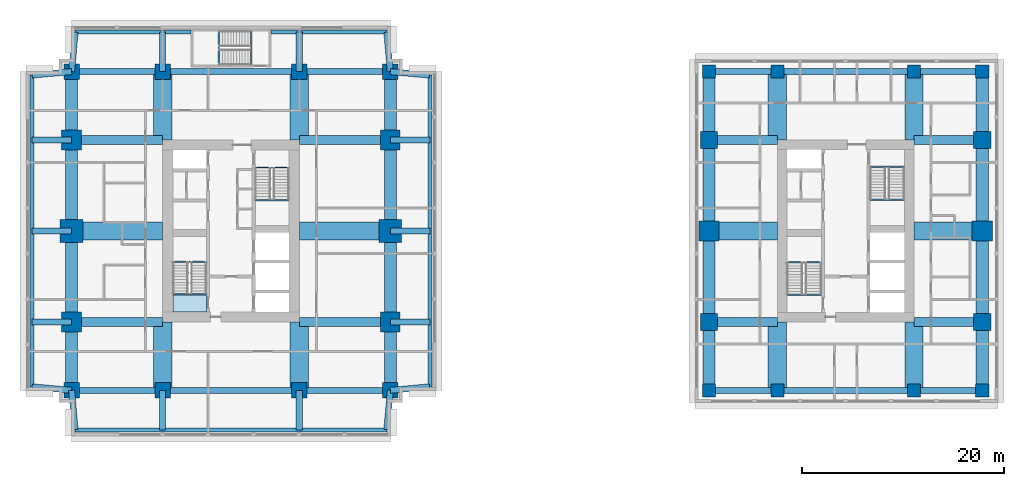
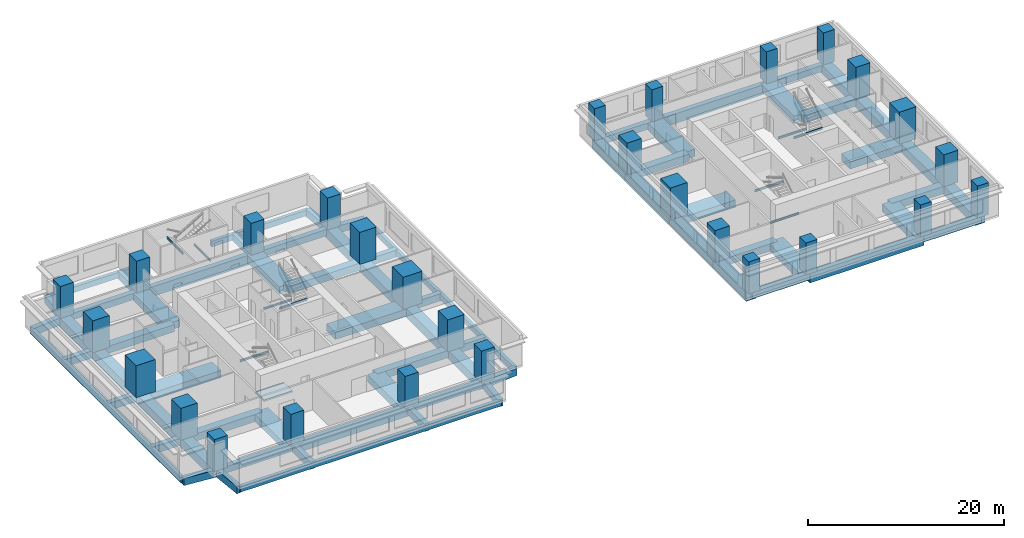
# One storey, part 1 of 11: 81 beams, 28 columns, 1 slab, 1 element without a shape of its own.
"""IFC4 building model written with IfcOpenShell, lengths in metres."""

from ifc_helpers import new_model, si_unit, direction, frame, origin, origin_2d, place, context, subcontext, project, spatial, polyline, rectangle, i_section, outline, extrude, material, layer, layer_set, material_profile, profile_set, type_object, element, aggregate, save


model = new_model("IFC4")

# Units and contexts
model_context = context("Model", 3, precision=1e-05, world=origin(), true_north=direction((0.0, 1.0)))
body_context = subcontext(model_context, "Body", "Model", "MODEL_VIEW")
ifc_project = project(units=[si_unit("LENGTHUNIT", "METRE"), si_unit("AREAUNIT", "SQUARE_METRE"), si_unit("VOLUMEUNIT", "CUBIC_METRE"), si_unit("PLANEANGLEUNIT", "RADIAN"), si_unit("MASSUNIT", "GRAM", prefix="KILO")], contexts=[model_context])

# Site, building, storey
site_placement = place(None, origin())
site = spatial("IfcSite", under=ifc_project, at=site_placement, CompositionType="ELEMENT")
building_placement = place(site_placement, origin())
building = spatial("IfcBuilding", under=site, at=building_placement, Name="Namib Vertical Campus", CompositionType="ELEMENT")
storey_placement = place(building_placement, frame((0.0, 0.0, 217.0)))
storey = spatial("IfcBuildingStorey", under=building, at=storey_placement, Name="L51", CompositionType="ELEMENT", Elevation=217.0)

# Columns
ifc_material_1 = material(Name="Concrete C60/75", Category="concrete")
ifc_material_profile_1 = material_profile(ifc_material_1, rectangle(XDim=1.300048828125, YDim=1.300048828125, at=origin_2d()))
ifc_profile_set_1 = profile_set([ifc_material_profile_1], Name="Concrete C60/75")
column_type_1 = type_object("IfcColumnType", Name="Column RC 1300x1300", PredefinedType="COLUMN", material=ifc_profile_set_1)
for number, where, z_axis, x_axis, name in (
    (1, (67.5, 4.5, 0.0), (0.0, 0.0, 1.0), (1.0, 0.0, 0.0), "Column C130 L51"),
    (2, (74.25, 4.5, 0.0), (0.0, 0.0, 1.0), (1.0, 0.0, 0.0), "Column C130 L51"),
    (3, (87.75, 4.5, 0.0), (0.0, 0.0, 1.0), (1.0, 0.0, 0.0), "Column C130 L51"),
    (4, (94.5, 4.5, 0.0), (0.0, 0.0, 1.0), (1.0, 0.0, 0.0), "Column C130 L51"),
    (5, (67.5, 36.0, 0.0), (0.0, 0.0, 1.0), (1.0, 0.0, 0.0), "Column C130 L51"),
    (6, (74.25, 36.0, 0.0), (0.0, 0.0, 1.0), (1.0, 0.0, 0.0), "Column C130 L51"),
    (7, (87.75, 36.0, 0.0), (0.0, 0.0, 1.0), (1.0, 0.0, 0.0), "Column C130 L51"),
    (8, (94.5, 36.0, 0.0), (0.0, 0.0, 1.0), (1.0, 0.0, 0.0), "Column C130 L51"),
):
    element("IfcColumn", number, at=place(storey_placement, frame(where, z_axis=z_axis, x_axis=x_axis)), inside=storey, type_object=column_type_1, Name=name, PredefinedType="COLUMN", context=body_context, shape_type="SweptSolid", body=[
        extrude(rectangle(XDim=1.300048828125, YDim=1.300048828125, at=origin_2d()), origin(), (0.0, 0.0, 1.0), 4.0),
    ])
ifc_material_2 = material(Name="Concrete C60/75", Category="concrete")
ifc_material_profile_2 = material_profile(ifc_material_2, rectangle(XDim=1.550048828125, YDim=1.550048828125, at=origin_2d()))
ifc_profile_set_2 = profile_set([ifc_material_profile_2], Name="Concrete C60/75")
column_type_2 = type_object("IfcColumnType", Name="Column RC 1550x1550", PredefinedType="COLUMN", material=ifc_profile_set_2)
for number, where, z_axis, x_axis, name in (
    (9, (4.5, 4.5, 0.0), (0.0, 0.0, 1.0), (1.0, 0.0, 0.0), "Column C155 L51"),
    (10, (13.5, 4.5, 0.0), (0.0, 0.0, 1.0), (1.0, 0.0, 0.0), "Column C155 L51"),
    (11, (27.0, 4.5, 0.0), (0.0, 0.0, 1.0), (1.0, 0.0, 0.0), "Column C155 L51"),
    (12, (36.0, 4.5, 0.0), (0.0, 0.0, 1.0), (1.0, 0.0, 0.0), "Column C155 L51"),
    (13, (4.5, 36.0, 0.0), (0.0, 0.0, 1.0), (1.0, 0.0, 0.0), "Column C155 L51"),
    (14, (13.5, 36.0, 0.0), (0.0, 0.0, 1.0), (1.0, 0.0, 0.0), "Column C155 L51"),
    (15, (27.0, 36.0, 0.0), (0.0, 0.0, 1.0), (1.0, 0.0, 0.0), "Column C155 L51"),
    (16, (36.0, 36.0, 0.0), (0.0, 0.0, 1.0), (1.0, 0.0, 0.0), "Column C155 L51"),
):
    element("IfcColumn", number, at=place(storey_placement, frame(where, z_axis=z_axis, x_axis=x_axis)), inside=storey, type_object=column_type_2, Name=name, PredefinedType="COLUMN", context=body_context, shape_type="SweptSolid", body=[
        extrude(rectangle(XDim=1.550048828125, YDim=1.550048828125, at=origin_2d()), origin(), (0.0, 0.0, 1.0), 4.0),
    ])
ifc_material_3 = material(Name="Concrete C60/75", Category="concrete")
ifc_material_profile_3 = material_profile(ifc_material_3, rectangle(XDim=1.699951171875, YDim=1.699951171875, at=origin_2d()))
ifc_profile_set_3 = profile_set([ifc_material_profile_3], Name="Concrete C60/75")
column_type_3 = type_object("IfcColumnType", Name="Column RC 1700x1700", PredefinedType="COLUMN", material=ifc_profile_set_3)
for number, where, z_axis, x_axis, name in (
    (17, (67.5, 11.25, 0.0), (0.0, 0.0, 1.0), (1.0, 0.0, 0.0), "Column C170 L51"),
    (18, (94.5, 11.25, 0.0), (0.0, 0.0, 1.0), (1.0, 0.0, 0.0), "Column C170 L51"),
    (19, (67.5, 29.25, 0.0), (0.0, 0.0, 1.0), (1.0, 0.0, 0.0), "Column C170 L51"),
    (20, (94.5, 29.25, 0.0), (0.0, 0.0, 1.0), (1.0, 0.0, 0.0), "Column C170 L51"),
):
    element("IfcColumn", number, at=place(storey_placement, frame(where, z_axis=z_axis, x_axis=x_axis)), inside=storey, type_object=column_type_3, Name=name, PredefinedType="COLUMN", context=body_context, shape_type="SweptSolid", body=[
        extrude(rectangle(XDim=1.699951171875, YDim=1.699951171875, at=origin_2d()), origin(), (0.0, 0.0, 1.0), 4.0),
    ])
ifc_material_4 = material(Name="Concrete C60/75", Category="concrete")
ifc_material_profile_4 = material_profile(ifc_material_4, rectangle(XDim=1.949951171875, YDim=1.949951171875, at=origin_2d()))
ifc_profile_set_4 = profile_set([ifc_material_profile_4], Name="Concrete C60/75")
column_type_4 = type_object("IfcColumnType", Name="Column RC 1950x1950", PredefinedType="COLUMN", material=ifc_profile_set_4)
for number, where, z_axis, x_axis, name in (
    (21, (4.5, 11.25, 0.0), (0.0, 0.0, 1.0), (1.0, 0.0, 0.0), "Column C195 L51"),
    (22, (36.0, 11.25, 0.0), (0.0, 0.0, 1.0), (1.0, 0.0, 0.0), "Column C195 L51"),
    (23, (4.5, 29.25, 0.0), (0.0, 0.0, 1.0), (1.0, 0.0, 0.0), "Column C195 L51"),
    (24, (36.0, 29.25, 0.0), (0.0, 0.0, 1.0), (1.0, 0.0, 0.0), "Column C195 L51"),
):
    element("IfcColumn", number, at=place(storey_placement, frame(where, z_axis=z_axis, x_axis=x_axis)), inside=storey, type_object=column_type_4, Name=name, PredefinedType="COLUMN", context=body_context, shape_type="SweptSolid", body=[
        extrude(rectangle(XDim=1.949951171875, YDim=1.949951171875, at=origin_2d()), origin(), (0.0, 0.0, 1.0), 4.0),
    ])
ifc_material_5 = material(Name="Concrete C60/75", Category="concrete")
ifc_material_profile_5 = material_profile(ifc_material_5, rectangle(XDim=2.0, YDim=2.0, at=origin_2d()))
ifc_profile_set_5 = profile_set([ifc_material_profile_5], Name="Concrete C60/75")
column_type_5 = type_object("IfcColumnType", Name="Column RC 2000x2000", PredefinedType="COLUMN", material=ifc_profile_set_5)
for number, where, z_axis, x_axis, name in (
    (25, (67.5, 20.25, 0.0), (0.0, 0.0, 1.0), (1.0, 0.0, 0.0), "Column C200 L51"),
    (26, (94.5, 20.25, 0.0), (0.0, 0.0, 1.0), (1.0, 0.0, 0.0), "Column C200 L51"),
):
    element("IfcColumn", number, at=place(storey_placement, frame(where, z_axis=z_axis, x_axis=x_axis)), inside=storey, type_object=column_type_5, Name=name, PredefinedType="COLUMN", context=body_context, shape_type="SweptSolid", body=[
        extrude(rectangle(XDim=2.0, YDim=2.0, at=origin_2d()), origin(), (0.0, 0.0, 1.0), 4.0),
    ])
ifc_material_6 = material(Name="Concrete C60/75", Category="concrete")
ifc_material_profile_6 = material_profile(ifc_material_6, rectangle(XDim=2.25, YDim=2.25, at=origin_2d()))
ifc_profile_set_6 = profile_set([ifc_material_profile_6], Name="Concrete C60/75")
column_type_6 = type_object("IfcColumnType", Name="Column RC 2250x2250", PredefinedType="COLUMN", material=ifc_profile_set_6)
for number, where, z_axis, x_axis, name in (
    (27, (4.5, 20.25, 0.0), (0.0, 0.0, 1.0), (1.0, 0.0, 0.0), "Column C225 L51"),
    (28, (36.0, 20.25, 0.0), (0.0, 0.0, 1.0), (1.0, 0.0, 0.0), "Column C225 L51"),
):
    element("IfcColumn", number, at=place(storey_placement, frame(where, z_axis=z_axis, x_axis=x_axis)), inside=storey, type_object=column_type_6, Name=name, PredefinedType="COLUMN", context=body_context, shape_type="SweptSolid", body=[
        extrude(rectangle(XDim=2.25, YDim=2.25, at=origin_2d()), origin(), (0.0, 0.0, 1.0), 4.0),
    ])

# Beams
ifc_material_7 = material(Name="Concrete C40/50", Category="concrete")
ifc_material_profile_7 = material_profile(ifc_material_7, rectangle(XDim=0.60009765625, YDim=0.89990234375, at=origin_2d()))
ifc_profile_set_7 = profile_set([ifc_material_profile_7], Name="Concrete C40/50")
beam_type_1 = type_object("IfcBeamType", Name="Cantilever girder RC 600x900", PredefinedType="BEAM", material=ifc_profile_set_7)
beam_1_placement = place(storey_placement, frame((4.5, 4.5, -0.699951171875), z_axis=(0.089411326146, -0.995994786511, 0.0), x_axis=(0.995994786511, 0.089411326146, 0.0)))
element("IfcBeam", 29, at=beam_1_placement, inside=storey, type_object=beam_type_1, Name="Beam B3 L51", PredefinedType="BEAM", context=body_context, shape_type="SweptSolid", body=[
    extrude(rectangle(XDim=0.60009765625, YDim=0.89990234375, at=origin_2d()), origin(), (0.0, 0.0, 1.0), 3.91552734375),
])
for number, where, z_axis, x_axis, name in (
    (30, (13.5, 4.5, -0.699951171875), (0.0, -1.0, 0.0), (1.0, 0.0, 0.0), "Beam B3 L51"),
    (31, (27.0, 4.5, -0.699951171875), (0.0, -1.0, 0.0), (1.0, 0.0, 0.0), "Beam B3 L51"),
):
    element("IfcBeam", number, at=place(storey_placement, frame(where, z_axis=z_axis, x_axis=x_axis)), inside=storey, type_object=beam_type_1, Name=name, PredefinedType="BEAM", context=body_context, shape_type="SweptSolid", body=[
        extrude(rectangle(XDim=0.60009765625, YDim=0.89990234375, at=origin_2d()), origin(), (0.0, 0.0, 1.0), 3.89990234375),
    ])
for number, where, z_axis, x_axis, name in (
    (32, (36.0, 4.5, -0.699951171875), (-0.089411326146, -0.995994786511, 0.0), (0.995994786511, -0.089411326146, 0.0), "Beam B3 L51"),
    (33, (4.5, 36.0, -0.699951171875), (0.089411326146, 0.995994786511, 0.0), (-0.995994786511, 0.089411326146, 0.0), "Beam B3 L51"),
):
    element("IfcBeam", number, at=place(storey_placement, frame(where, z_axis=z_axis, x_axis=x_axis)), inside=storey, type_object=beam_type_1, Name=name, PredefinedType="BEAM", context=body_context, shape_type="SweptSolid", body=[
        extrude(rectangle(XDim=0.60009765625, YDim=0.89990234375, at=origin_2d()), origin(), (0.0, 0.0, 1.0), 3.91552734375),
    ])
for number, where, z_axis, x_axis, name in (
    (34, (13.5, 36.0, -0.699951171875), (0.0, 1.0, 0.0), (-1.0, 0.0, 0.0), "Beam B3 L51"),
    (35, (27.0, 36.0, -0.699951171875), (0.0, 1.0, 0.0), (-1.0, 0.0, 0.0), "Beam B3 L51"),
):
    element("IfcBeam", number, at=place(storey_placement, frame(where, z_axis=z_axis, x_axis=x_axis)), inside=storey, type_object=beam_type_1, Name=name, PredefinedType="BEAM", context=body_context, shape_type="SweptSolid", body=[
        extrude(rectangle(XDim=0.60009765625, YDim=0.89990234375, at=origin_2d()), origin(), (0.0, 0.0, 1.0), 3.89990234375),
    ])
for number, where, z_axis, x_axis, name in (
    (36, (36.0, 36.0, -0.699951171875), (-0.089411326146, 0.995994786511, 0.0), (-0.995994786511, -0.089411326146, 0.0), "Beam B3 L51"),
    (37, (4.5, 4.5, -0.699951171875), (-0.995994786511, 0.089411326146, 0.0), (-0.089411326146, -0.995994786511, 0.0), "Beam B3 L51"),
):
    element("IfcBeam", number, at=place(storey_placement, frame(where, z_axis=z_axis, x_axis=x_axis)), inside=storey, type_object=beam_type_1, Name=name, PredefinedType="BEAM", context=body_context, shape_type="SweptSolid", body=[
        extrude(rectangle(XDim=0.60009765625, YDim=0.89990234375, at=origin_2d()), origin(), (0.0, 0.0, 1.0), 3.91552734375),
    ])
for number, where, z_axis, x_axis, name in (
    (38, (4.5, 11.25, -0.699951171875), (-1.0, 0.0, 0.0), (0.0, -1.0, 0.0), "Beam B3 L51"),
    (39, (4.5, 20.25, -0.699951171875), (-1.0, 0.0, 0.0), (0.0, -1.0, 0.0), "Beam B3 L51"),
    (40, (4.5, 29.25, -0.699951171875), (-1.0, 0.0, 0.0), (0.0, -1.0, 0.0), "Beam B3 L51"),
):
    element("IfcBeam", number, at=place(storey_placement, frame(where, z_axis=z_axis, x_axis=x_axis)), inside=storey, type_object=beam_type_1, Name=name, PredefinedType="BEAM", context=body_context, shape_type="SweptSolid", body=[
        extrude(rectangle(XDim=0.60009765625, YDim=0.89990234375, at=origin_2d()), origin(), (0.0, 0.0, 1.0), 3.89990234375),
    ])
for number, where, z_axis, x_axis, name in (
    (41, (4.5, 36.0, -0.699951171875), (-0.995994786511, -0.089411326146, 0.0), (0.089411326146, -0.995994786511, 0.0), "Beam B3 L51"),
    (42, (36.0, 4.5, -0.699951171875), (0.995994786511, 0.089411326146, 0.0), (-0.089411326146, 0.995994786511, 0.0), "Beam B3 L51"),
):
    element("IfcBeam", number, at=place(storey_placement, frame(where, z_axis=z_axis, x_axis=x_axis)), inside=storey, type_object=beam_type_1, Name=name, PredefinedType="BEAM", context=body_context, shape_type="SweptSolid", body=[
        extrude(rectangle(XDim=0.60009765625, YDim=0.89990234375, at=origin_2d()), origin(), (0.0, 0.0, 1.0), 3.91552734375),
    ])
for number, where, z_axis, x_axis, name in (
    (43, (36.0, 11.25, -0.699951171875), (1.0, 0.0, 0.0), (0.0, 1.0, 0.0), "Beam B3 L51"),
    (44, (36.0, 20.25, -0.699951171875), (1.0, 0.0, 0.0), (0.0, 1.0, 0.0), "Beam B3 L51"),
    (45, (36.0, 29.25, -0.699951171875), (1.0, 0.0, 0.0), (0.0, 1.0, 0.0), "Beam B3 L51"),
):
    element("IfcBeam", number, at=place(storey_placement, frame(where, z_axis=z_axis, x_axis=x_axis)), inside=storey, type_object=beam_type_1, Name=name, PredefinedType="BEAM", context=body_context, shape_type="SweptSolid", body=[
        extrude(rectangle(XDim=0.60009765625, YDim=0.89990234375, at=origin_2d()), origin(), (0.0, 0.0, 1.0), 3.89990234375),
    ])
beam_2_placement = place(storey_placement, frame((36.0, 36.0, -0.699951171875), z_axis=(0.995994786511, -0.089411326146, 0.0), x_axis=(0.089411326146, 0.995994786511, 0.0)))
element("IfcBeam", 46, at=beam_2_placement, inside=storey, type_object=beam_type_1, Name="Beam B3 L51", PredefinedType="BEAM", context=body_context, shape_type="SweptSolid", body=[
    extrude(rectangle(XDim=0.60009765625, YDim=0.89990234375, at=origin_2d()), origin(), (0.0, 0.0, 1.0), 3.91552734375),
])
ifc_material_8 = material(Name="Concrete C40/50", Category="concrete")
ifc_material_profile_8 = material_profile(ifc_material_8, rectangle(XDim=0.39990234375, YDim=0.699951171875, at=origin_2d()))
ifc_profile_set_8 = profile_set([ifc_material_profile_8], Name="Concrete C40/50")
beam_type_2 = type_object("IfcBeamType", Name="Edge beam RC 400x700", PredefinedType="SPANDREL", material=ifc_profile_set_8)
beam_3_placement = place(storey_placement, frame((4.85009765625, 0.60009765625, -0.60009765625), z_axis=(1.0, 0.0, 0.0), x_axis=(0.0, 1.0, 0.0)))
element("IfcBeam", 47, at=beam_3_placement, inside=storey, type_object=beam_type_2, Name="Beam B4 L51", PredefinedType="SPANDREL", context=body_context, shape_type="SweptSolid", body=[
    extrude(rectangle(XDim=0.39990234375, YDim=0.699951171875, at=origin_2d()), origin(), (0.0, 0.0, 1.0), 30.7998046875),
])
for number, where, z_axis, x_axis, name in (
    (48, (4.85009765625, 39.89990234375, -0.60009765625), (1.0, 0.0, 0.0), (0.0, 1.0, 0.0), "Beam B4 L51"),
    (49, (24.199951171875, 39.89990234375, -0.60009765625), (1.0, 0.0, 0.0), (0.0, 1.0, 0.0), "Beam B4 L51"),
):
    element("IfcBeam", number, at=place(storey_placement, frame(where, z_axis=z_axis, x_axis=x_axis)), inside=storey, type_object=beam_type_2, Name=name, PredefinedType="SPANDREL", context=body_context, shape_type="SweptSolid", body=[
        extrude(rectangle(XDim=0.39990234375, YDim=0.699951171875, at=origin_2d()), origin(), (0.0, 0.0, 1.0), 11.449951171875),
    ])
for number, where, z_axis, x_axis, name in (
    (50, (0.60009765625, 4.85009765625, -0.60009765625), (0.0, 1.0, 0.0), (-1.0, 0.0, 0.0), "Beam B4 L51"),
    (51, (39.89990234375, 4.85009765625, -0.60009765625), (0.0, 1.0, 0.0), (-1.0, 0.0, 0.0), "Beam B4 L51"),
):
    element("IfcBeam", number, at=place(storey_placement, frame(where, z_axis=z_axis, x_axis=x_axis)), inside=storey, type_object=beam_type_2, Name=name, PredefinedType="SPANDREL", context=body_context, shape_type="SweptSolid", body=[
        extrude(rectangle(XDim=0.39990234375, YDim=0.699951171875, at=origin_2d()), origin(), (0.0, 0.0, 1.0), 30.7998046875),
    ])
ifc_material_9 = material(Name="Concrete C40/50", Category="concrete")
ifc_material_profile_9 = material_profile(ifc_material_9, rectangle(XDim=0.89990234375, YDim=0.89990234375, at=origin_2d()))
ifc_profile_set_9 = profile_set([ifc_material_profile_9], Name="Concrete C40/50")
beam_type_3 = type_object("IfcBeamType", Name="Face girder RC 900x900", PredefinedType="BEAM", material=ifc_profile_set_9)
for number, where, z_axis, x_axis, name in (
    (52, (4.5, 11.25, -0.699951171875), (1.0, 0.0, 0.0), (0.0, 1.0, 0.0), "Beam B10 L51"),
    (53, (36.0, 11.25, -0.699951171875), (-1.0, 0.0, 0.0), (0.0, -1.0, 0.0), "Beam B10 L51"),
    (54, (4.5, 29.25, -0.699951171875), (1.0, 0.0, 0.0), (0.0, 1.0, 0.0), "Beam B10 L51"),
    (55, (36.0, 29.25, -0.699951171875), (-1.0, 0.0, 0.0), (0.0, -1.0, 0.0), "Beam B10 L51"),
):
    element("IfcBeam", number, at=place(storey_placement, frame(where, z_axis=z_axis, x_axis=x_axis)), inside=storey, type_object=beam_type_3, Name=name, PredefinedType="BEAM", context=body_context, shape_type="SweptSolid", body=[
        extrude(rectangle(XDim=0.89990234375, YDim=0.89990234375, at=origin_2d()), origin(), (0.0, 0.0, 1.0), 9.0),
    ])
for number, where, z_axis, x_axis, name in (
    (56, (67.5, 11.25, -0.699951171875), (1.0, 0.0, 0.0), (0.0, 1.0, 0.0), "Beam B10 L51"),
    (57, (94.5, 11.25, -0.699951171875), (-1.0, 0.0, 0.0), (0.0, -1.0, 0.0), "Beam B10 L51"),
    (58, (67.5, 29.25, -0.699951171875), (1.0, 0.0, 0.0), (0.0, 1.0, 0.0), "Beam B10 L51"),
    (59, (94.5, 29.25, -0.699951171875), (-1.0, 0.0, 0.0), (0.0, -1.0, 0.0), "Beam B10 L51"),
):
    element("IfcBeam", number, at=place(storey_placement, frame(where, z_axis=z_axis, x_axis=x_axis)), inside=storey, type_object=beam_type_3, Name=name, PredefinedType="BEAM", context=body_context, shape_type="SweptSolid", body=[
        extrude(rectangle(XDim=0.89990234375, YDim=0.89990234375, at=origin_2d()), origin(), (0.0, 0.0, 1.0), 6.75),
    ])
ifc_material_10 = material(Name="Concrete C40/50", Category="concrete")
ifc_material_profile_10 = material_profile(ifc_material_10, rectangle(XDim=1.199951171875, YDim=1.10009765625, at=origin_2d()))
ifc_profile_set_10 = profile_set([ifc_material_profile_10], Name="Concrete C40/50")
beam_type_4 = type_object("IfcBeamType", Name="Face ring beam RC 1200x1100", PredefinedType="BEAM", material=ifc_profile_set_10)
beam_4_placement = place(storey_placement, frame((4.5, 4.5, -0.800048828125), z_axis=(0.0, 1.0, 0.0), x_axis=(-1.0, 0.0, 0.0)))
element("IfcBeam", 60, at=beam_4_placement, inside=storey, type_object=beam_type_4, Name="Beam B11 L51", PredefinedType="BEAM", context=body_context, shape_type="SweptSolid", body=[
    extrude(rectangle(XDim=1.199951171875, YDim=1.10009765625, at=origin_2d()), origin(), (0.0, 0.0, 1.0), 6.75),
])
for number, where, z_axis, x_axis, name in (
    (61, (4.5, 11.25, -0.800048828125), (0.0, 1.0, 0.0), (-1.0, 0.0, 0.0), "Beam B11 L51"),
    (62, (4.5, 20.25, -0.800048828125), (0.0, 1.0, 0.0), (-1.0, 0.0, 0.0), "Beam B11 L51"),
):
    element("IfcBeam", number, at=place(storey_placement, frame(where, z_axis=z_axis, x_axis=x_axis)), inside=storey, type_object=beam_type_4, Name=name, PredefinedType="BEAM", context=body_context, shape_type="SweptSolid", body=[
        extrude(rectangle(XDim=1.199951171875, YDim=1.10009765625, at=origin_2d()), origin(), (0.0, 0.0, 1.0), 9.0),
    ])
for number, where, z_axis, x_axis, name in (
    (63, (4.5, 29.25, -0.800048828125), (0.0, 1.0, 0.0), (-1.0, 0.0, 0.0), "Beam B11 L51"),
    (64, (36.0, 4.5, -0.800048828125), (0.0, 1.0, 0.0), (-1.0, 0.0, 0.0), "Beam B11 L51"),
):
    element("IfcBeam", number, at=place(storey_placement, frame(where, z_axis=z_axis, x_axis=x_axis)), inside=storey, type_object=beam_type_4, Name=name, PredefinedType="BEAM", context=body_context, shape_type="SweptSolid", body=[
        extrude(rectangle(XDim=1.199951171875, YDim=1.10009765625, at=origin_2d()), origin(), (0.0, 0.0, 1.0), 6.75),
    ])
for number, where, z_axis, x_axis, name in (
    (65, (36.0, 11.25, -0.800048828125), (0.0, 1.0, 0.0), (-1.0, 0.0, 0.0), "Beam B11 L51"),
    (66, (36.0, 20.25, -0.800048828125), (0.0, 1.0, 0.0), (-1.0, 0.0, 0.0), "Beam B11 L51"),
):
    element("IfcBeam", number, at=place(storey_placement, frame(where, z_axis=z_axis, x_axis=x_axis)), inside=storey, type_object=beam_type_4, Name=name, PredefinedType="BEAM", context=body_context, shape_type="SweptSolid", body=[
        extrude(rectangle(XDim=1.199951171875, YDim=1.10009765625, at=origin_2d()), origin(), (0.0, 0.0, 1.0), 9.0),
    ])
for number, where, z_axis, x_axis, name in (
    (67, (36.0, 29.25, -0.800048828125), (0.0, 1.0, 0.0), (-1.0, 0.0, 0.0), "Beam B11 L51"),
    (68, (67.5, 4.5, -0.800048828125), (0.0, 1.0, 0.0), (-1.0, 0.0, 0.0), "Beam B11 L51"),
):
    element("IfcBeam", number, at=place(storey_placement, frame(where, z_axis=z_axis, x_axis=x_axis)), inside=storey, type_object=beam_type_4, Name=name, PredefinedType="BEAM", context=body_context, shape_type="SweptSolid", body=[
        extrude(rectangle(XDim=1.199951171875, YDim=1.10009765625, at=origin_2d()), origin(), (0.0, 0.0, 1.0), 6.75),
    ])
for number, where, z_axis, x_axis, name in (
    (69, (67.5, 11.25, -0.800048828125), (0.0, 1.0, 0.0), (-1.0, 0.0, 0.0), "Beam B11 L51"),
    (70, (67.5, 20.25, -0.800048828125), (0.0, 1.0, 0.0), (-1.0, 0.0, 0.0), "Beam B11 L51"),
):
    element("IfcBeam", number, at=place(storey_placement, frame(where, z_axis=z_axis, x_axis=x_axis)), inside=storey, type_object=beam_type_4, Name=name, PredefinedType="BEAM", context=body_context, shape_type="SweptSolid", body=[
        extrude(rectangle(XDim=1.199951171875, YDim=1.10009765625, at=origin_2d()), origin(), (0.0, 0.0, 1.0), 9.0),
    ])
for number, where, z_axis, x_axis, name in (
    (71, (67.5, 29.25, -0.800048828125), (0.0, 1.0, 0.0), (-1.0, 0.0, 0.0), "Beam B11 L51"),
    (72, (94.5, 4.5, -0.800048828125), (0.0, 1.0, 0.0), (-1.0, 0.0, 0.0), "Beam B11 L51"),
):
    element("IfcBeam", number, at=place(storey_placement, frame(where, z_axis=z_axis, x_axis=x_axis)), inside=storey, type_object=beam_type_4, Name=name, PredefinedType="BEAM", context=body_context, shape_type="SweptSolid", body=[
        extrude(rectangle(XDim=1.199951171875, YDim=1.10009765625, at=origin_2d()), origin(), (0.0, 0.0, 1.0), 6.75),
    ])
for number, where, z_axis, x_axis, name in (
    (73, (94.5, 11.25, -0.800048828125), (0.0, 1.0, 0.0), (-1.0, 0.0, 0.0), "Beam B11 L51"),
    (74, (94.5, 20.25, -0.800048828125), (0.0, 1.0, 0.0), (-1.0, 0.0, 0.0), "Beam B11 L51"),
):
    element("IfcBeam", number, at=place(storey_placement, frame(where, z_axis=z_axis, x_axis=x_axis)), inside=storey, type_object=beam_type_4, Name=name, PredefinedType="BEAM", context=body_context, shape_type="SweptSolid", body=[
        extrude(rectangle(XDim=1.199951171875, YDim=1.10009765625, at=origin_2d()), origin(), (0.0, 0.0, 1.0), 9.0),
    ])
beam_5_placement = place(storey_placement, frame((94.5, 29.25, -0.800048828125), z_axis=(0.0, 1.0, 0.0), x_axis=(-1.0, 0.0, 0.0)))
element("IfcBeam", 75, at=beam_5_placement, inside=storey, type_object=beam_type_4, Name="Beam B11 L51", PredefinedType="BEAM", context=body_context, shape_type="SweptSolid", body=[
    extrude(rectangle(XDim=1.199951171875, YDim=1.10009765625, at=origin_2d()), origin(), (0.0, 0.0, 1.0), 6.75),
])
ifc_material_11 = material(Name="Steel S355JR", Category="steel")
ifc_material_profile_11 = material_profile(ifc_material_11, i_section(OverallWidth=0.14599609375, OverallDepth=0.25146484375, WebThickness=0.006103515625, FlangeThickness=0.008544921875, FilletRadius=0.007568359375, at=origin_2d()))
ifc_profile_set_11 = profile_set([ifc_material_profile_11], Name="Steel S355JR")
beam_type_5 = type_object("IfcBeamType", Name="Landing trimmer UB 254x146x31", PredefinedType="BEAM", material=ifc_profile_set_11)
for number, where, z_axis, x_axis, name in (
    (76, (14.5, 13.97705078125, -0.125732421875), (1.0, 0.0, 0.0), (0.0, 1.0, 0.0), "Landing trimmer LT1 A-S1 L51 1"),
    (77, (14.5, 17.203125, 1.874267578125), (1.0, 0.0, 0.0), (0.0, 1.0, 0.0), "Landing trimmer LT1 A-S1 L51 2"),
    (78, (22.64990234375, 26.52294921875, -0.125732421875), (1.0, 0.0, 0.0), (0.0, 1.0, 0.0), "Landing trimmer LT1 A-S2 L51 1"),
    (79, (22.64990234375, 23.296875, 1.874267578125), (1.0, 0.0, 0.0), (0.0, 1.0, 0.0), "Landing trimmer LT1 A-S2 L51 2"),
):
    element("IfcBeam", number, at=place(storey_placement, frame(where, z_axis=z_axis, x_axis=x_axis)), inside=storey, type_object=beam_type_5, Name=name, PredefinedType="BEAM", context=body_context, shape_type="SweptSolid", body=[
        extrude(i_section(OverallWidth=0.14599609375, OverallDepth=0.25146484375, WebThickness=0.006103515625, FlangeThickness=0.008544921875, FilletRadius=0.007568359375, at=origin_2d()), origin(), (0.0, 0.0, 1.0), 3.35009765625),
    ])
for number, where, z_axis, x_axis, name in (
    (80, (75.199951171875, 13.927001953125, -0.125732421875), (1.0, 0.0, 0.0), (0.0, 1.0, 0.0), "Landing trimmer LT1 B-S1 L51 1"),
    (81, (75.199951171875, 17.153076171875, 1.874267578125), (1.0, 0.0, 0.0), (0.0, 1.0, 0.0), "Landing trimmer LT1 B-S1 L51 2"),
    (82, (83.39990234375, 26.572998046875, -0.125732421875), (1.0, 0.0, 0.0), (0.0, 1.0, 0.0), "Landing trimmer LT1 B-S2 L51 1"),
    (83, (83.39990234375, 23.346923828125, 1.874267578125), (1.0, 0.0, 0.0), (0.0, 1.0, 0.0), "Landing trimmer LT1 B-S2 L51 2"),
):
    element("IfcBeam", number, at=place(storey_placement, frame(where, z_axis=z_axis, x_axis=x_axis)), inside=storey, type_object=beam_type_5, Name=name, PredefinedType="BEAM", context=body_context, shape_type="SweptSolid", body=[
        extrude(i_section(OverallWidth=0.14599609375, OverallDepth=0.25146484375, WebThickness=0.006103515625, FlangeThickness=0.008544921875, FilletRadius=0.007568359375, at=origin_2d()), origin(), (0.0, 0.0, 1.0), 3.400146484375),
    ])
for number, where, z_axis, x_axis, name in (
    (84, (22.27294921875, 36.64990234375, -0.125732421875), (0.0, 1.0, 0.0), (-1.0, 0.0, 0.0), "Landing trimmer LT1 A-S3 L51 1"),
    (85, (19.046875, 36.64990234375, 1.874267578125), (0.0, 1.0, 0.0), (-1.0, 0.0, 0.0), "Landing trimmer LT1 A-S3 L51 2"),
):
    element("IfcBeam", number, at=place(storey_placement, frame(where, z_axis=z_axis, x_axis=x_axis)), inside=storey, type_object=beam_type_5, Name=name, PredefinedType="BEAM", context=body_context, shape_type="SweptSolid", body=[
        extrude(i_section(OverallWidth=0.14599609375, OverallDepth=0.25146484375, WebThickness=0.006103515625, FlangeThickness=0.008544921875, FilletRadius=0.007568359375, at=origin_2d()), origin(), (0.0, 0.0, 1.0), 3.35009765625),
    ])
ifc_material_12 = material(Name="Concrete C40/50", Category="concrete")
ifc_material_profile_12 = material_profile(ifc_material_12, rectangle(XDim=0.60009765625, YDim=1.199951171875, at=origin_2d()))
ifc_profile_set_12 = profile_set([ifc_material_profile_12], Name="Concrete C40/50")
beam_type_6 = type_object("IfcBeamType", Name="Long-span ring beam RC 600x1200", PredefinedType="BEAM", material=ifc_profile_set_12)
for number, where, z_axis, x_axis, name in (
    (86, (13.5, 4.5, -0.85009765625), (1.0, 0.0, 0.0), (0.0, 1.0, 0.0), "Beam B9 L51"),
    (87, (13.5, 36.0, -0.85009765625), (1.0, 0.0, 0.0), (0.0, 1.0, 0.0), "Beam B9 L51"),
    (88, (74.25, 4.5, -0.85009765625), (1.0, 0.0, 0.0), (0.0, 1.0, 0.0), "Beam B9 L51"),
    (89, (74.25, 36.0, -0.85009765625), (1.0, 0.0, 0.0), (0.0, 1.0, 0.0), "Beam B9 L51"),
):
    element("IfcBeam", number, at=place(storey_placement, frame(where, z_axis=z_axis, x_axis=x_axis)), inside=storey, type_object=beam_type_6, Name=name, PredefinedType="BEAM", context=body_context, shape_type="SweptSolid", body=[
        extrude(rectangle(XDim=0.60009765625, YDim=1.199951171875, at=origin_2d()), origin(), (0.0, 0.0, 1.0), 13.5),
    ])
ifc_material_13 = material(Name="Concrete C40/50", Category="concrete")
ifc_material_profile_13 = material_profile(ifc_material_13, rectangle(XDim=1.800048828125, YDim=0.89990234375, at=origin_2d()))
ifc_profile_set_13 = profile_set([ifc_material_profile_13], Name="Concrete C40/50")
beam_type_7 = type_object("IfcBeamType", Name="Outrigger line girder RC 1800x900", PredefinedType="BEAM", material=ifc_profile_set_13)
for number, where, z_axis, x_axis, name in (
    (90, (13.5, 4.5, -0.699951171875), (0.0, 1.0, 0.0), (-1.0, 0.0, 0.0), "Beam B12 L51"),
    (91, (13.5, 36.0, -0.699951171875), (0.0, -1.0, 0.0), (1.0, 0.0, 0.0), "Beam B12 L51"),
    (92, (27.0, 4.5, -0.699951171875), (0.0, 1.0, 0.0), (-1.0, 0.0, 0.0), "Beam B12 L51"),
    (93, (27.0, 36.0, -0.699951171875), (0.0, -1.0, 0.0), (1.0, 0.0, 0.0), "Beam B12 L51"),
):
    element("IfcBeam", number, at=place(storey_placement, frame(where, z_axis=z_axis, x_axis=x_axis)), inside=storey, type_object=beam_type_7, Name=name, PredefinedType="BEAM", context=body_context, shape_type="SweptSolid", body=[
        extrude(rectangle(XDim=1.800048828125, YDim=0.89990234375, at=origin_2d()), origin(), (0.0, 0.0, 1.0), 6.75),
    ])
for number, where, z_axis, x_axis, name in (
    (94, (4.5, 20.25, -0.699951171875), (1.0, 0.0, 0.0), (0.0, 1.0, 0.0), "Beam B12 L51"),
    (95, (36.0, 20.25, -0.699951171875), (-1.0, 0.0, 0.0), (0.0, -1.0, 0.0), "Beam B12 L51"),
):
    element("IfcBeam", number, at=place(storey_placement, frame(where, z_axis=z_axis, x_axis=x_axis)), inside=storey, type_object=beam_type_7, Name=name, PredefinedType="BEAM", context=body_context, shape_type="SweptSolid", body=[
        extrude(rectangle(XDim=1.800048828125, YDim=0.89990234375, at=origin_2d()), origin(), (0.0, 0.0, 1.0), 9.0),
    ])
for number, where, z_axis, x_axis, name in (
    (96, (74.25, 4.5, -0.699951171875), (0.0, 1.0, 0.0), (-1.0, 0.0, 0.0), "Beam B12 L51"),
    (97, (74.25, 36.0, -0.699951171875), (0.0, -1.0, 0.0), (1.0, 0.0, 0.0), "Beam B12 L51"),
    (98, (87.75, 4.5, -0.699951171875), (0.0, 1.0, 0.0), (-1.0, 0.0, 0.0), "Beam B12 L51"),
    (99, (87.75, 36.0, -0.699951171875), (0.0, -1.0, 0.0), (1.0, 0.0, 0.0), "Beam B12 L51"),
    (100, (67.5, 20.25, -0.699951171875), (1.0, 0.0, 0.0), (0.0, 1.0, 0.0), "Beam B12 L51"),
    (101, (94.5, 20.25, -0.699951171875), (-1.0, 0.0, 0.0), (0.0, -1.0, 0.0), "Beam B12 L51"),
):
    element("IfcBeam", number, at=place(storey_placement, frame(where, z_axis=z_axis, x_axis=x_axis)), inside=storey, type_object=beam_type_7, Name=name, PredefinedType="BEAM", context=body_context, shape_type="SweptSolid", body=[
        extrude(rectangle(XDim=1.800048828125, YDim=0.89990234375, at=origin_2d()), origin(), (0.0, 0.0, 1.0), 6.75),
    ])
ifc_material_14 = material(Name="Concrete C40/50", Category="concrete")
ifc_material_profile_14 = material_profile(ifc_material_14, rectangle(XDim=0.60009765625, YDim=0.800048828125, at=origin_2d()))
ifc_profile_set_14 = profile_set([ifc_material_profile_14], Name="Concrete C40/50")
beam_type_8 = type_object("IfcBeamType", Name="Ring beam RC 600x800", PredefinedType="BEAM", material=ifc_profile_set_14)
for number, where, z_axis, x_axis, name in (
    (102, (4.5, 4.5, -0.64990234375), (1.0, 0.0, 0.0), (0.0, 1.0, 0.0), "Beam B1 L51"),
    (103, (27.0, 4.5, -0.64990234375), (1.0, 0.0, 0.0), (0.0, 1.0, 0.0), "Beam B1 L51"),
    (104, (4.5, 36.0, -0.64990234375), (1.0, 0.0, 0.0), (0.0, 1.0, 0.0), "Beam B1 L51"),
    (105, (27.0, 36.0, -0.64990234375), (1.0, 0.0, 0.0), (0.0, 1.0, 0.0), "Beam B1 L51"),
):
    element("IfcBeam", number, at=place(storey_placement, frame(where, z_axis=z_axis, x_axis=x_axis)), inside=storey, type_object=beam_type_8, Name=name, PredefinedType="BEAM", context=body_context, shape_type="SweptSolid", body=[
        extrude(rectangle(XDim=0.60009765625, YDim=0.800048828125, at=origin_2d()), origin(), (0.0, 0.0, 1.0), 9.0),
    ])
for number, where, z_axis, x_axis, name in (
    (106, (67.5, 4.5, -0.64990234375), (1.0, 0.0, 0.0), (0.0, 1.0, 0.0), "Beam B1 L51"),
    (107, (87.75, 4.5, -0.64990234375), (1.0, 0.0, 0.0), (0.0, 1.0, 0.0), "Beam B1 L51"),
    (108, (67.5, 36.0, -0.64990234375), (1.0, 0.0, 0.0), (0.0, 1.0, 0.0), "Beam B1 L51"),
    (109, (87.75, 36.0, -0.64990234375), (1.0, 0.0, 0.0), (0.0, 1.0, 0.0), "Beam B1 L51"),
):
    element("IfcBeam", number, at=place(storey_placement, frame(where, z_axis=z_axis, x_axis=x_axis)), inside=storey, type_object=beam_type_8, Name=name, PredefinedType="BEAM", context=body_context, shape_type="SweptSolid", body=[
        extrude(rectangle(XDim=0.60009765625, YDim=0.800048828125, at=origin_2d()), origin(), (0.0, 0.0, 1.0), 6.75),
    ])

# Stair, slab
ifc_material_15 = material(Name="Concrete C40/50 precast", Category="concrete")
stair_type = type_object("IfcStairType", Name="Exit stair 4000 rise 24 risers 3350 wide", PredefinedType="HALF_TURN_STAIR", material=ifc_material_15)
stair_placement = place(storey_placement, origin())
stair = element("IfcStair", 110, at=stair_placement, inside=storey, type_object=stair_type, Name="Exit stair A-S1 L51", PredefinedType="HALF_TURN_STAIR")
ifc_material_16 = material(Name="Concrete C40/50", Category="concrete")
ifc_layer = layer(ifc_material_16, 0.199951171875)
ifc_layer_set = layer_set([ifc_layer], Name="Concrete C40/50")
slab_type = type_object("IfcSlabType", Name="Stair landing 200", PredefinedType="LANDING", material=ifc_layer_set)
slab_placement = place(storey_placement, frame((0.0, 0.0, -0.199951171875)))
slab = element("IfcSlab", 111, at=slab_placement, type_object=slab_type, Name="A-S1 landing 1", PredefinedType="LANDING", context=body_context, shape_type="SweptSolid", body=[
    extrude(outline(polyline([(14.5, 12.25), (17.85009765625, 12.25), (17.85009765625, 13.90380859375), (14.5, 13.90380859375), (14.5, 12.25)])), origin(), (0.0, 0.0, 1.0), 0.199951171875),
])
aggregate(stair, [slab])

save(model, "model.ifc")
